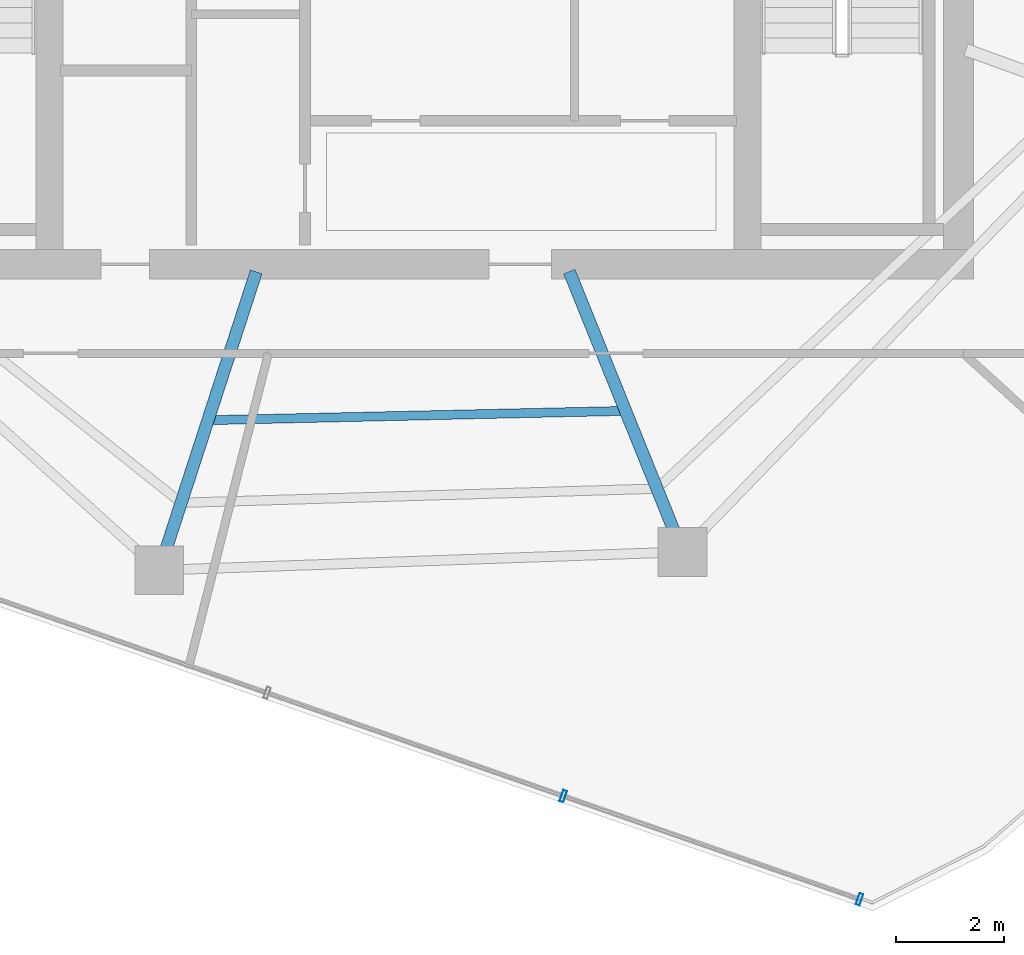
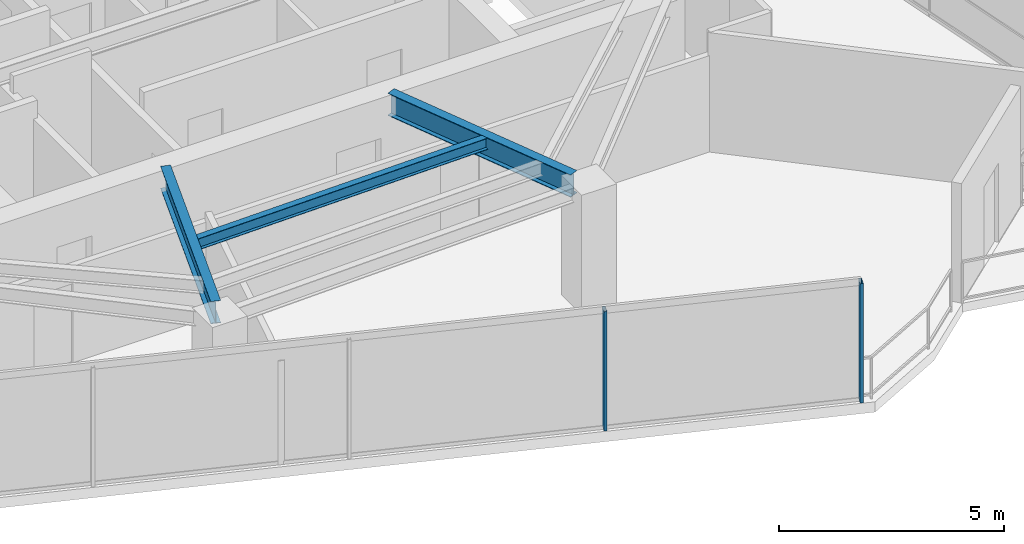
# One storey, part 4 of 18: 3 beams, 2 members, 1 element without a shape of its own.
"""IFC4 building model written with IfcOpenShell, lengths in metres."""

from ifc_helpers import new_model, si_unit, direction, frame, origin, origin_2d, place, context, subcontext, project, spatial, hollow_rectangle, i_section, extrude, material, layer, layer_set, material_profile, profile_set, type_object, element, aggregate, save


model = new_model("IFC4")

# Units and contexts
model_context = context("Model", 3, precision=1e-05, world=origin(), true_north=direction((0.0, 1.0)))
body_context = subcontext(model_context, "Body", "Model", "MODEL_VIEW")
ifc_project = project(units=[si_unit("LENGTHUNIT", "METRE"), si_unit("AREAUNIT", "SQUARE_METRE"), si_unit("VOLUMEUNIT", "CUBIC_METRE"), si_unit("PLANEANGLEUNIT", "RADIAN"), si_unit("MASSUNIT", "GRAM", prefix="KILO")], contexts=[model_context])

# Site, building, storey
site_placement = place(None, origin())
site = spatial("IfcSite", under=ifc_project, at=site_placement, CompositionType="ELEMENT")
building_placement = place(site_placement, origin())
building = spatial("IfcBuilding", under=site, at=building_placement, Name="Qarnah Convention Tower", CompositionType="ELEMENT")
storey_placement = place(building_placement, frame((0.0, 0.0, 220.199951171875)))
storey = spatial("IfcBuildingStorey", under=building, at=storey_placement, Name="L59", CompositionType="ELEMENT", Elevation=220.199951171875)

# Beams
ifc_material_1 = material(Name="Structural steel S355JR", Category="steel")
ifc_material_profile_1 = material_profile(ifc_material_1, i_section(OverallWidth=0.166015625, OverallDepth=0.31201171875, WebThickness=0.007080078125, FlangeThickness=0.010986328125, at=origin_2d()), Name="W310X45")
ifc_profile_set_1 = profile_set([ifc_material_profile_1], Name="Structural steel S355JR")
beam_type_1 = type_object("IfcBeamType", Name="BM-JST-W310", PredefinedType="JOIST", material=ifc_profile_set_1)
beam_1_placement = place(storey_placement, frame((33.818115234375, 15.717041015625, 3.083984375), z_axis=(0.999751945962, 0.022272102413, 0.0), x_axis=(-0.022272102413, 0.999751945962, 0.0)))
element("IfcBeam", 1, at=beam_1_placement, inside=storey, type_object=beam_type_1, Name="L59 joist BM-L59-IJST-07", PredefinedType="JOIST", context=body_context, shape_type="SweptSolid", body=[
    extrude(i_section(OverallWidth=0.166015625, OverallDepth=0.31201171875, WebThickness=0.007080078125, FlangeThickness=0.010986328125, at=origin_2d()), origin(), (0.0, 0.0, 1.0), 7.541748046875),
])
ifc_material_profile_2 = material_profile(ifc_material_1, i_section(OverallWidth=0.22802734375, OverallDepth=0.60791015625, WebThickness=0.010986328125, FlangeThickness=0.01708984375, at=origin_2d()), Name="W610X113")
ifc_profile_set_2 = profile_set([ifc_material_profile_2], Name="Structural steel S355JR")
beam_type_2 = type_object("IfcBeamType", Name="BM-RAD-W610B", PredefinedType="BEAM", material=ifc_profile_set_2)
beam_2_placement = place(storey_placement, frame((34.618896484375, 18.45703125, 2.93603515625), z_axis=(-0.309055218988, -0.951044095516, 0.0), x_axis=(0.951044095516, -0.309055218988, 0.0)))
element("IfcBeam", 2, at=beam_2_placement, inside=storey, type_object=beam_type_2, Name="L59 beam BM-L59-RAD-07", PredefinedType="BEAM", context=body_context, shape_type="SweptSolid", body=[
    extrude(i_section(OverallWidth=0.22802734375, OverallDepth=0.60791015625, WebThickness=0.010986328125, FlangeThickness=0.01708984375, at=origin_2d()), origin(), (0.0, 0.0, 1.0), 5.36767578125),
])
beam_3_placement = place(storey_placement, frame((40.407958984375, 18.4609375, 2.93603515625), z_axis=(0.374620360642, -0.927178292127, 0.0), x_axis=(0.927178292127, 0.374620360642, 0.0)))
element("IfcBeam", 3, at=beam_3_placement, inside=storey, type_object=beam_type_2, Name="L59 beam BM-L59-RAD-08", PredefinedType="BEAM", context=body_context, shape_type="SweptSolid", body=[
    extrude(i_section(OverallWidth=0.22802734375, OverallDepth=0.60791015625, WebThickness=0.010986328125, FlangeThickness=0.01708984375, at=origin_2d()), origin(), (0.0, 0.0, 1.0), 5.157470703125),
])

# Curtain wall, members
ifc_material_2 = material(Name="Tempered Low-E dark glass", Category="glass")
ifc_layer = layer(ifc_material_2, 0.174072265625)
ifc_layer_set = layer_set([ifc_layer], Name="Tempered Low-E dark glass")
curtain_wall_type = type_object("IfcCurtainWallType", Name="CWS-04", PredefinedType="NOTDEFINED", material=ifc_layer_set)
curtain_wall_placement = place(storey_placement, origin())
curtain_wall = element("IfcCurtainWall", 4, at=curtain_wall_placement, inside=storey, type_object=curtain_wall_type, Name="L59 unitised curtain wall CW-L59-F2", PredefinedType="NOTDEFINED")
ifc_material_3 = material(Name="Black anodised aluminium", Category="aluminium")
ifc_material_profile_3 = material_profile(ifc_material_3, hollow_rectangle(XDim=0.074951171875, YDim=0.219970703125, WallThickness=0.0048828125, at=origin_2d()), Name="MUL-75X220")
ifc_profile_set_3 = profile_set([ifc_material_profile_3], Name="Black anodised aluminium")
member_type = type_object("IfcMemberType", Name="MUL-T4", PredefinedType="MULLION", material=ifc_profile_set_3)
member_1_placement = place(storey_placement, frame((45.77294921875, 6.85693359375, 0.0), z_axis=(0.0, 0.0, 1.0), x_axis=(-0.944373902094, 0.328873734194, 0.0)))
member_1 = element("IfcMember", 5, at=member_1_placement, type_object=member_type, Name="CW-L59-F2 mullion 1", PredefinedType="MULLION", context=body_context, shape_type="SweptSolid", body=[
    extrude(hollow_rectangle(XDim=0.074951171875, YDim=0.219970703125, WallThickness=0.0048828125, at=origin_2d()), origin(), (0.0, 0.0, 1.0), 3.239990234375),
])
member_2_placement = place(storey_placement, frame((40.29638671875, 8.76416015625, 0.0), z_axis=(0.0, 0.0, 1.0), x_axis=(-0.944373902094, 0.328873734194, 0.0)))
member_2 = element("IfcMember", 6, at=member_2_placement, type_object=member_type, Name="CW-L59-F2 mullion 2", PredefinedType="MULLION", context=body_context, shape_type="SweptSolid", body=[
    extrude(hollow_rectangle(XDim=0.074951171875, YDim=0.219970703125, WallThickness=0.0048828125, at=origin_2d()), origin(), (0.0, 0.0, 1.0), 3.239990234375),
])
aggregate(curtain_wall, [member_1, member_2])

save(model, "model.ifc")
